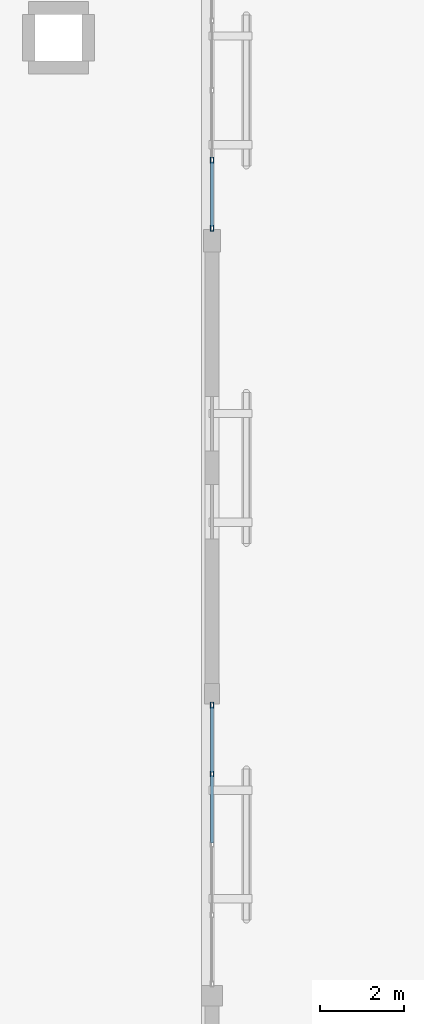
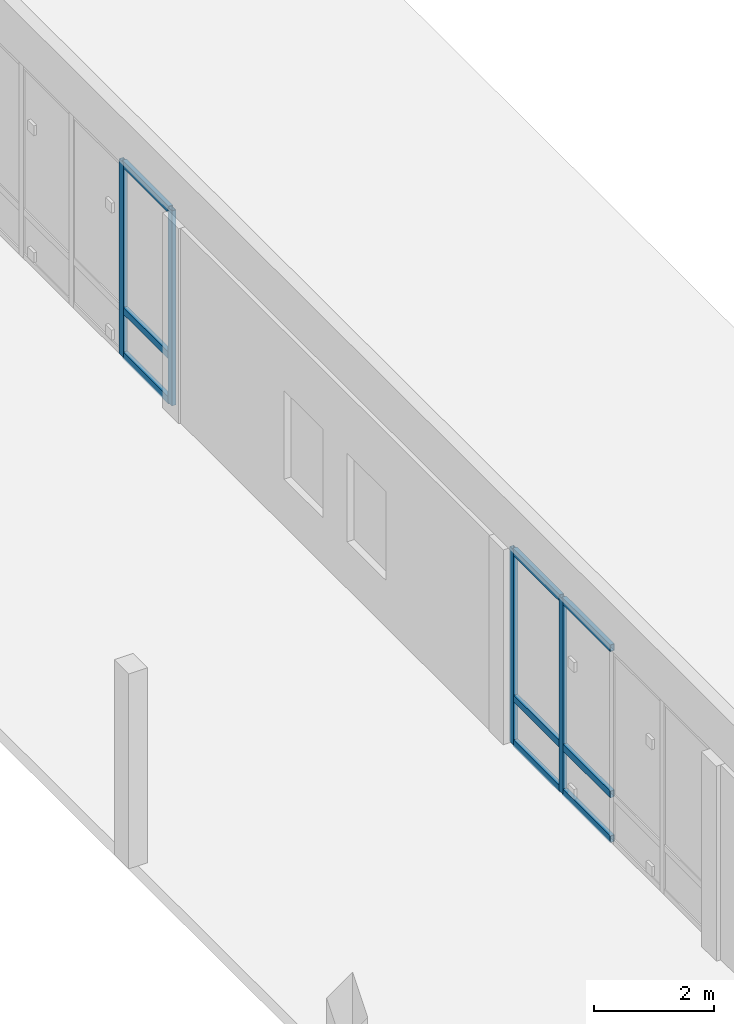
# One storey, part 4 of 11: 13 members, 2 elements without a shape of their own.
"""IFC4 building model written with IfcOpenShell, lengths in metres."""

from ifc_helpers import new_model, si_unit, direction, frame, origin, origin_2d, place, context, subcontext, project, spatial, hollow_rectangle, extrude, material, layer, layer_set, material_profile, profile_set, type_object, element, aggregate, save


model = new_model("IFC4")

# Units and contexts
model_context = context("Model", 3, precision=1e-05, world=origin(), true_north=direction((0.0, 1.0)))
body_context = subcontext(model_context, "Body", "Model", "MODEL_VIEW")
ifc_project = project(units=[si_unit("LENGTHUNIT", "METRE"), si_unit("AREAUNIT", "SQUARE_METRE"), si_unit("VOLUMEUNIT", "CUBIC_METRE"), si_unit("PLANEANGLEUNIT", "RADIAN"), si_unit("MASSUNIT", "GRAM", prefix="KILO")], contexts=[model_context])

# Site, building, storey
site_placement = place(None, origin())
site = spatial("IfcSite", under=ifc_project, at=site_placement, CompositionType="ELEMENT")
building_placement = place(site_placement, origin())
building = spatial("IfcBuilding", under=site, at=building_placement, Name="Mazaris Harbour Polytechnic", CompositionType="ELEMENT")
storey_placement = place(building_placement, frame((0.0, 0.0, 22.199951171875)))
storey = spatial("IfcBuildingStorey", under=building, at=storey_placement, Name="L05", CompositionType="ELEMENT", Elevation=22.199951171875)

# Curtain wall, members
ifc_material_1 = material(Name="Anodised Bronze Aluminium and Low-E Glass", Category="aluminium")
ifc_layer = layer(ifc_material_1, 0.159912109375, Name="Anodised Bronze Aluminium and Low-E Glass")
ifc_layer_set = layer_set([ifc_layer], Name="Anodised Bronze Aluminium and Low-E Glass")
curtain_wall_type = type_object("IfcCurtainWallType", Name="Cloister Court Curtain Wall", PredefinedType="NOTDEFINED", material=ifc_layer_set)
curtain_wall_1_placement = place(storey_placement, origin())
curtain_wall_1 = element("IfcCurtainWall", 1, at=curtain_wall_1_placement, inside=storey, type_object=curtain_wall_type, Name="V4 L05 Curtain Wall 181", PredefinedType="NOTDEFINED")
ifc_material_2 = material(Name="Anodised Bronze Steel S355", Category="steel")
ifc_material_profile_1 = material_profile(ifc_material_2, hollow_rectangle(XDim=0.080078125, YDim=0.139892578125, WallThickness=0.00634765625, at=origin_2d()), Name="RHS 80x140x6.3")
ifc_profile_set_1 = profile_set([ifc_material_profile_1], Name="Anodised Bronze Steel S355")
member_type_1 = type_object("IfcMemberType", Name="Curtain Mullion RHS80x140", PredefinedType="MULLION", material=ifc_profile_set_1)
member_1_placement = place(storey_placement, frame((36.0, 42.927978515625, 0.0), z_axis=(0.0, 0.0, 1.0), x_axis=(1.0, 0.0, 0.0)))
member_1 = element("IfcMember", 2, at=member_1_placement, type_object=member_type_1, Name="CW-02 mullion 1", PredefinedType="MULLION", context=body_context, shape_type="SweptSolid", body=[
    extrude(hollow_rectangle(XDim=0.080078125, YDim=0.139892578125, WallThickness=0.00634765625, at=origin_2d()), origin(), (0.0, 0.0, 1.0), 3.9599609375),
])
member_2_placement = place(storey_placement, frame((36.0, 41.28662109375, 0.0), z_axis=(0.0, 0.0, 1.0), x_axis=(1.0, 0.0, 0.0)))
member_2 = element("IfcMember", 3, at=member_2_placement, type_object=member_type_1, Name="CW-02 mullion 2", PredefinedType="MULLION", context=body_context, shape_type="SweptSolid", body=[
    extrude(hollow_rectangle(XDim=0.080078125, YDim=0.139892578125, WallThickness=0.00634765625, at=origin_2d()), origin(), (0.0, 0.0, 1.0), 3.9599609375),
])

curtain_wall_2_placement = place(storey_placement, origin())
curtain_wall_2 = element("IfcCurtainWall", 4, at=curtain_wall_2_placement, inside=storey, type_object=curtain_wall_type, Name="V4 L05 Curtain Wall 182", PredefinedType="NOTDEFINED")
member_3_placement = place(storey_placement, frame((36.0, 55.923583984375, 0.0), z_axis=(0.0, 0.0, 1.0), x_axis=(1.0, 0.0, 0.0)))
member_3 = element("IfcMember", 5, at=member_3_placement, type_object=member_type_1, Name="CW-02 mullion 4", PredefinedType="MULLION", context=body_context, shape_type="SweptSolid", body=[
    extrude(hollow_rectangle(XDim=0.080078125, YDim=0.139892578125, WallThickness=0.00634765625, at=origin_2d()), origin(), (0.0, 0.0, 1.0), 3.9599609375),
])
member_4_placement = place(storey_placement, frame((36.0, 54.302001953125, 0.0), z_axis=(0.0, 0.0, 1.0), x_axis=(1.0, 0.0, 0.0)))
member_4 = element("IfcMember", 6, at=member_4_placement, type_object=member_type_1, Name="CW-02 mullion 5", PredefinedType="MULLION", context=body_context, shape_type="SweptSolid", body=[
    extrude(hollow_rectangle(XDim=0.080078125, YDim=0.139892578125, WallThickness=0.00634765625, at=origin_2d()), origin(), (0.0, 0.0, 1.0), 3.9599609375),
])

# Member
ifc_material_3 = material(Name="Anodised Bronze Steel S355", Category="steel")
ifc_material_profile_2 = material_profile(ifc_material_3, hollow_rectangle(XDim=0.080078125, YDim=0.139892578125, WallThickness=0.00634765625, at=origin_2d()), Name="RHS 80x140x6.3")
ifc_profile_set_2 = profile_set([ifc_material_profile_2], Name="Anodised Bronze Steel S355")
member_type_2 = type_object("IfcMemberType", Name="Curtain Transom RHS80x140", PredefinedType="USERDEFINED", material=ifc_profile_set_2)
member_5_placement = place(storey_placement, frame((36.0, 42.887939453125, 0.0400390625), z_axis=(0.0, -1.0, 0.0), x_axis=(1.0, 0.0, 0.0)))
member_5 = element("IfcMember", 7, at=member_5_placement, type_object=member_type_2, Name="CW-02 transom 1.1", ObjectType="TRANSOM", PredefinedType="USERDEFINED", context=body_context, shape_type="SweptSolid", body=[
    extrude(hollow_rectangle(XDim=0.080078125, YDim=0.139892578125, WallThickness=0.00634765625, at=origin_2d()), origin(), (0.0, 0.0, 1.0), 1.5615234375),
])

member_6_placement = place(storey_placement, frame((36.0, 42.887939453125, 0.949951171875), z_axis=(0.0, -1.0, 0.0), x_axis=(1.0, 0.0, 0.0)))
member_6 = element("IfcMember", 8, at=member_6_placement, type_object=member_type_2, Name="CW-02 transom 1.2", ObjectType="TRANSOM", PredefinedType="USERDEFINED", context=body_context, shape_type="SweptSolid", body=[
    extrude(hollow_rectangle(XDim=0.080078125, YDim=0.139892578125, WallThickness=0.00634765625, at=origin_2d()), origin(), (0.0, 0.0, 1.0), 1.5615234375),
])

member_7_placement = place(storey_placement, frame((36.0, 42.887939453125, 3.920166015625), z_axis=(0.0, -1.0, 0.0), x_axis=(1.0, 0.0, 0.0)))
member_7 = element("IfcMember", 9, at=member_7_placement, type_object=member_type_2, Name="CW-02 transom 1.3", ObjectType="TRANSOM", PredefinedType="USERDEFINED", context=body_context, shape_type="SweptSolid", body=[
    extrude(hollow_rectangle(XDim=0.080078125, YDim=0.139892578125, WallThickness=0.00634765625, at=origin_2d()), origin(), (0.0, 0.0, 1.0), 1.5615234375),
])

member_8_placement = place(storey_placement, frame((36.0, 41.24658203125, 0.0400390625), z_axis=(0.0, -1.0, 0.0), x_axis=(1.0, 0.0, 0.0)))
member_8 = element("IfcMember", 10, at=member_8_placement, type_object=member_type_2, Name="CW-02 transom 2.1", ObjectType="TRANSOM", PredefinedType="USERDEFINED", context=body_context, shape_type="SweptSolid", body=[
    extrude(hollow_rectangle(XDim=0.080078125, YDim=0.139892578125, WallThickness=0.00634765625, at=origin_2d()), origin(), (0.0, 0.0, 1.0), 1.6015625),
])

member_9_placement = place(storey_placement, frame((36.0, 41.24658203125, 0.949951171875), z_axis=(0.0, -1.0, 0.0), x_axis=(1.0, 0.0, 0.0)))
member_9 = element("IfcMember", 11, at=member_9_placement, type_object=member_type_2, Name="CW-02 transom 2.2", ObjectType="TRANSOM", PredefinedType="USERDEFINED", context=body_context, shape_type="SweptSolid", body=[
    extrude(hollow_rectangle(XDim=0.080078125, YDim=0.139892578125, WallThickness=0.00634765625, at=origin_2d()), origin(), (0.0, 0.0, 1.0), 1.6015625),
])

member_10_placement = place(storey_placement, frame((36.0, 41.24658203125, 3.920166015625), z_axis=(0.0, -1.0, 0.0), x_axis=(1.0, 0.0, 0.0)))
member_10 = element("IfcMember", 12, at=member_10_placement, type_object=member_type_2, Name="CW-02 transom 2.3", ObjectType="TRANSOM", PredefinedType="USERDEFINED", context=body_context, shape_type="SweptSolid", body=[
    extrude(hollow_rectangle(XDim=0.080078125, YDim=0.139892578125, WallThickness=0.00634765625, at=origin_2d()), origin(), (0.0, 0.0, 1.0), 1.6015625),
])

aggregate(curtain_wall_1, [member_1, member_2, member_5, member_6, member_7, member_8, member_9, member_10])

member_11_placement = place(storey_placement, frame((36.0, 55.883544921875, 0.0400390625), z_axis=(0.0, -1.0, 0.0), x_axis=(1.0, 0.0, 0.0)))
member_11 = element("IfcMember", 13, at=member_11_placement, type_object=member_type_2, Name="CW-02 transom 4.1", ObjectType="TRANSOM", PredefinedType="USERDEFINED", context=body_context, shape_type="SweptSolid", body=[
    extrude(hollow_rectangle(XDim=0.080078125, YDim=0.139892578125, WallThickness=0.00634765625, at=origin_2d()), origin(), (0.0, 0.0, 1.0), 1.54150390625),
])

member_12_placement = place(storey_placement, frame((36.0, 55.883544921875, 0.949951171875), z_axis=(0.0, -1.0, 0.0), x_axis=(1.0, 0.0, 0.0)))
member_12 = element("IfcMember", 14, at=member_12_placement, type_object=member_type_2, Name="CW-02 transom 4.2", ObjectType="TRANSOM", PredefinedType="USERDEFINED", context=body_context, shape_type="SweptSolid", body=[
    extrude(hollow_rectangle(XDim=0.080078125, YDim=0.139892578125, WallThickness=0.00634765625, at=origin_2d()), origin(), (0.0, 0.0, 1.0), 1.54150390625),
])

member_13_placement = place(storey_placement, frame((36.0, 55.883544921875, 3.920166015625), z_axis=(0.0, -1.0, 0.0), x_axis=(1.0, 0.0, 0.0)))
member_13 = element("IfcMember", 15, at=member_13_placement, type_object=member_type_2, Name="CW-02 transom 4.3", ObjectType="TRANSOM", PredefinedType="USERDEFINED", context=body_context, shape_type="SweptSolid", body=[
    extrude(hollow_rectangle(XDim=0.080078125, YDim=0.139892578125, WallThickness=0.00634765625, at=origin_2d()), origin(), (0.0, 0.0, 1.0), 1.54150390625),
])

aggregate(curtain_wall_2, [member_3, member_4, member_11, member_12, member_13])

save(model, "model.ifc")
